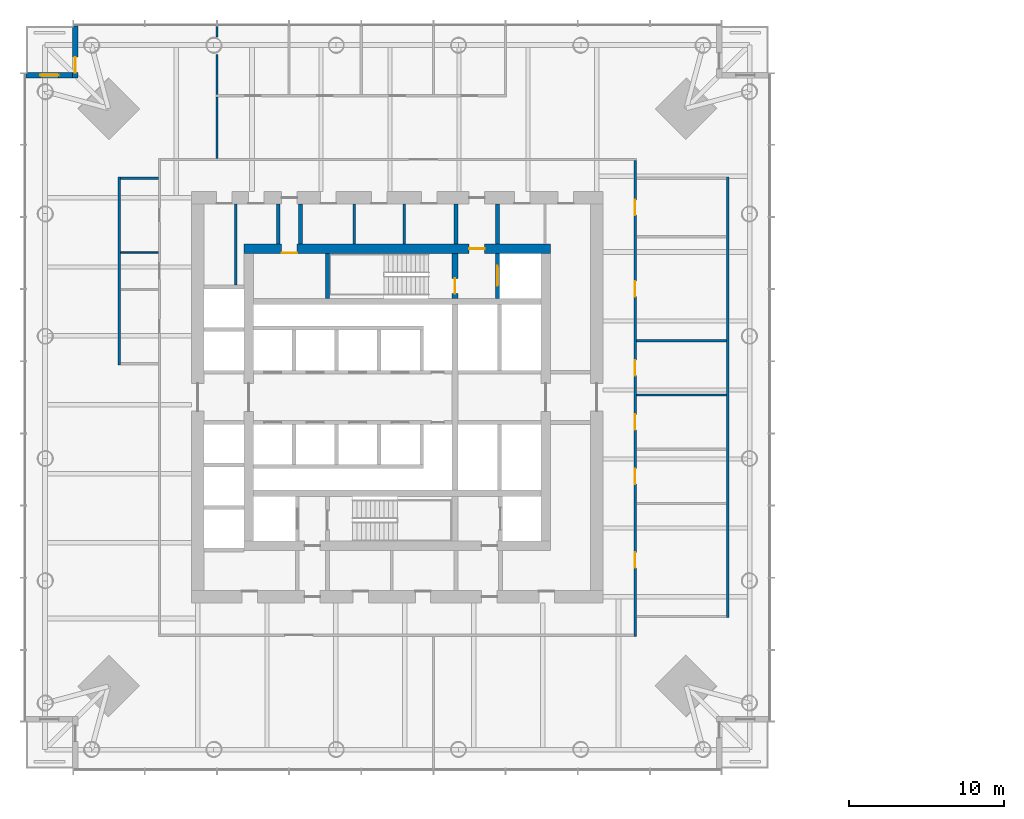
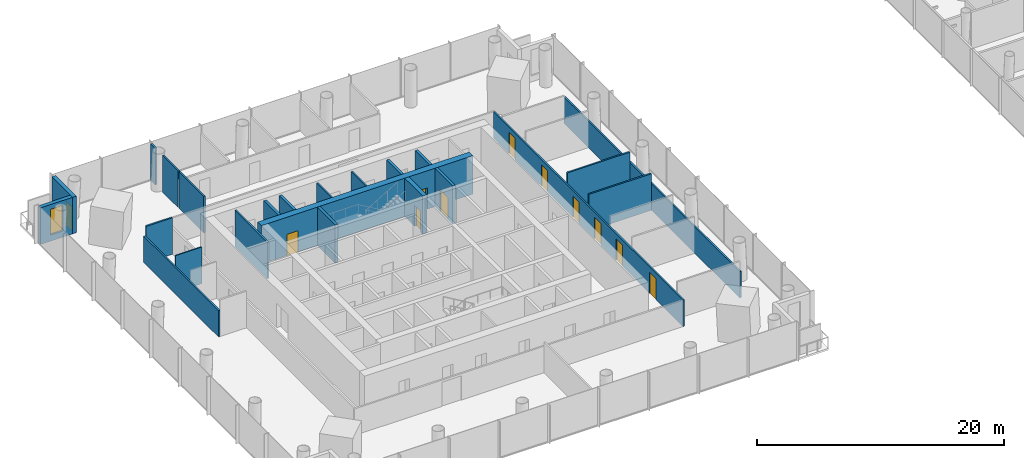
# One storey, part 12 of 21: 23 walls, 11 doors, 1 window, 12 openings.
"""IFC4 building model written with IfcOpenShell, lengths in metres."""

from ifc_helpers import new_model, si_unit, direction, frame, frame_2d, origin, place, context, subcontext, project, spatial, rectangle, extrude, material, layer, layer_set, type_object, element, fill, save


model = new_model("IFC4")

# Units and contexts
model_context = context("Model", 3, precision=1e-05, world=origin(), true_north=direction((0.0, 1.0)))
body_context = subcontext(model_context, "Body", "Model", "MODEL_VIEW")
ifc_project = project(units=[si_unit("LENGTHUNIT", "METRE"), si_unit("AREAUNIT", "SQUARE_METRE"), si_unit("VOLUMEUNIT", "CUBIC_METRE"), si_unit("PLANEANGLEUNIT", "RADIAN"), si_unit("MASSUNIT", "GRAM", prefix="KILO")], contexts=[model_context])

# Site, building, storey
site_placement = place(None, origin())
site = spatial("IfcSite", under=ifc_project, at=site_placement, CompositionType="ELEMENT")
building_placement = place(site_placement, origin())
building = spatial("IfcBuilding", under=site, at=building_placement, Name="Ostroluk Exchange", CompositionType="ELEMENT")
storey_placement = place(building_placement, frame((0.0, 0.0, 59.0)))
storey = spatial("IfcBuildingStorey", under=building, at=storey_placement, Name="L14", CompositionType="ELEMENT", Elevation=59.0)

# Walls
ifc_material_1 = material(Name="Concrete blockwork", Category="masonry")
ifc_layer_1 = layer(ifc_material_1, 0.10009765625)
ifc_layer_set_1 = layer_set([ifc_layer_1], Name="Blockwork WC wall 100")
wall_type_1 = type_object("IfcWallType", Name="Blockwork WC wall 100", PredefinedType="SOLIDWALL", material=ifc_layer_set_1)
wall_1_placement = place(storey_placement, frame((29.550048828125, 55.375, 0.0), z_axis=(0.0, 0.0, 1.0), x_axis=(-1.0, 0.0, 0.0)))
element("IfcWall", 1, at=wall_1_placement, inside=storey, type_object=wall_type_1, Name="Blockwork WC wall", PredefinedType="SOLIDWALL", context=body_context, shape_type="SweptSolid", body=[
    extrude(rectangle(XDim=2.449951171875, YDim=0.10009765625, at=frame_2d((1.22509765625, 0.0))), origin(), (0.0, 0.0, 1.0), 3.6201171875),
])
ifc_material_2 = material(Name="Concrete blockwork", Category="masonry")
ifc_layer_2 = layer(ifc_material_2, 0.14990234375)
ifc_layer_set_2 = layer_set([ifc_layer_2], Name="Blockwork plant room wall 150")
wall_type_2 = type_object("IfcWallType", Name="Blockwork plant room wall 150", PredefinedType="SOLIDWALL", material=ifc_layer_set_2)
wall_2_placement = place(storey_placement, frame((34.556884765625, 53.25, 0.0), z_axis=(0.0, 0.0, 1.0), x_axis=(0.0, 1.0, 0.0)))
element("IfcWall", 2, at=wall_2_placement, inside=storey, type_object=wall_type_2, Name="Core room wall", PredefinedType="SOLIDWALL", context=body_context, shape_type="SweptSolid", body=[
    extrude(rectangle(XDim=5.25, YDim=0.14990234375, at=frame_2d((2.625, 0.0))), origin(), (0.0, 0.0, 1.0), 3.6201171875),
])
for number, where, z_axis, x_axis, name in (
    (3, (42.208740234375, 55.89990234375, 0.0), (0.0, 0.0, 1.0), (0.0, 1.0, 0.0), "Core room wall"),
    (4, (45.4443359375, 55.89990234375, 0.0), (0.0, 0.0, 1.0), (0.0, 1.0, 0.0), "Core room wall"),
):
    element("IfcWall", number, at=place(storey_placement, frame(where, z_axis=z_axis, x_axis=x_axis)), inside=storey, type_object=wall_type_2, Name=name, PredefinedType="SOLIDWALL", context=body_context, shape_type="SweptSolid", body=[
        extrude(rectangle(XDim=2.60009765625, YDim=0.14990234375, at=frame_2d((1.300048828125, 0.0))), origin(), (0.0, 0.0, 1.0), 3.6201171875),
    ])
ifc_material_3 = material(Name="Concrete blockwork", Category="masonry")
ifc_layer_3 = layer(ifc_material_3, 0.25)
ifc_layer_set_3 = layer_set([ifc_layer_3], Name="Blockwork stair enclosure wall 250")
wall_type_3 = type_object("IfcWallType", Name="Blockwork stair enclosure wall 250", PredefinedType="SOLIDWALL", material=ifc_layer_set_3)
for number, where, z_axis, x_axis, name in (
    (5, (48.804931640625, 55.89990234375, 0.0), (0.0, 0.0, 1.0), (0.0, 1.0, 0.0), "Fire lobby enclosure wall"),
    (6, (51.47509765625, 55.89990234375, 0.0), (0.0, 0.0, 1.0), (0.0, 1.0, 0.0), "Fire lobby enclosure wall"),
    (7, (37.300048828125, 55.89990234375, 0.0), (0.0, 0.0, 1.0), (0.0, 1.0, 0.0), "Core corridor wall"),
    (8, (38.75, 55.89990234375, 0.0), (0.0, 0.0, 1.0), (0.0, 1.0, 0.0), "Core corridor wall"),
):
    element("IfcWall", number, at=place(storey_placement, frame(where, z_axis=z_axis, x_axis=x_axis)), inside=storey, type_object=wall_type_3, Name=name, PredefinedType="SOLIDWALL", context=body_context, shape_type="SweptSolid", body=[
        extrude(rectangle(XDim=2.60009765625, YDim=0.25, at=frame_2d((1.300048828125, 0.0))), origin(), (0.0, 0.0, 1.0), 3.6201171875),
    ])

# Wall, opening, door
ifc_material_4 = material(Name="Concrete C50/60", Category="concrete")
ifc_layer_4 = layer(ifc_material_4, 0.39990234375)
ifc_layer_set_4 = layer_set([ifc_layer_4], Name="Core cross wall 400 C50/60")
wall_type_4 = type_object("IfcWallType", Name="Core cross wall 400 C50/60", PredefinedType="SHEAR", material=ifc_layer_set_4)
wall_3_placement = place(storey_placement, frame((48.72998046875, 52.39990234375, 0.0), z_axis=(0.0, 0.0, 1.0), x_axis=(0.0, 1.0, 0.0)))
wall_3 = element("IfcWall", 9, at=wall_3_placement, inside=storey, type_object=wall_type_4, Name="T1 core wall YE3", PredefinedType="SHEAR", context=body_context, shape_type="SweptSolid", body=[
    extrude(rectangle(XDim=2.900146484375, YDim=0.39990234375, at=frame_2d((1.4501953125, 0.0))), origin(), (0.0, 0.0, 1.0), 3.800048828125),
])
opening_1_placement = place(wall_3_placement, frame((0.300048828125, 0.0, 0.0)))
opening_1 = element("IfcOpeningElement", 10, at=opening_1_placement, cuts=wall_3, Name="Opening FD60", PredefinedType="OPENING", context=body_context, shape_type="SweptSolid", body=[
    extrude(rectangle(XDim=1.0, YDim=2.10009765625, at=frame_2d((0.5, 1.050048828125))), frame((0.0, 0.2099609375, 0.0), z_axis=(0.0, -1.0, 0.0), x_axis=(1.0, 0.0, 0.0)), (0.0, 0.0, 1.0), 0.419921875),
])
ifc_material_5 = material(Name="Steel", Category="steel")
door_type_1 = type_object("IfcDoorType", Name="Fire door EI 60 1000 x 2100", OperationType="SINGLE_SWING_LEFT", PredefinedType="DOOR", material=ifc_material_5)
door_1_placement = place(opening_1_placement, origin())
door_1 = element("IfcDoor", 11, at=door_1_placement, inside=storey, type_object=door_type_1, Name="Stair T1-S2 door", OperationType="SINGLE_SWING_LEFT", OverallHeight=2.10009765625, OverallWidth=1.0, PredefinedType="DOOR", context=body_context, shape_type="SweptSolid", body=[
    extrude(rectangle(XDim=1.0, YDim=2.10009765625, at=frame_2d((0.5, 1.050048828125))), frame((0.0, 0.02490234375, 0.0), z_axis=(0.0, -1.0, 0.0), x_axis=(1.0, 0.0, 0.0)), (0.0, 0.0, 1.0), 0.050048828125),
])
fill(opening_1, door_1)

# Wall
ifc_material_6 = material(Name="Concrete C40/50", Category="concrete")
ifc_layer_5 = layer(ifc_material_6, 0.25)
ifc_layer_set_5 = layer_set([ifc_layer_5], Name="Core shaft wall 250")
wall_type_5 = type_object("IfcWallType", Name="Core shaft wall 250", PredefinedType="SHEAR", material=ifc_layer_set_5)
wall_4_placement = place(storey_placement, frame((40.47509765625, 52.39990234375, 0.0), z_axis=(0.0, 0.0, 1.0), x_axis=(0.0, 1.0, 0.0)))
element("IfcWall", 12, at=wall_4_placement, inside=storey, type_object=wall_type_5, Name="Stair shaft wall", PredefinedType="SHEAR", context=body_context, shape_type="SweptSolid", body=[
    extrude(rectangle(XDim=2.900146484375, YDim=0.25, at=frame_2d((1.4501953125, 0.0))), origin(), (0.0, 0.0, 1.0), 3.800048828125),
])

# Wall, opening, door
wall_5_placement = place(storey_placement, frame((51.47509765625, 52.39990234375, 0.0), z_axis=(0.0, 0.0, 1.0), x_axis=(0.0, 1.0, 0.0)))
wall_5 = element("IfcWall", 13, at=wall_5_placement, inside=storey, type_object=wall_type_5, Name="Firefighting lift shaft wall", PredefinedType="SHEAR", context=body_context, shape_type="SweptSolid", body=[
    extrude(rectangle(XDim=2.900146484375, YDim=0.25, at=frame_2d((1.4501953125, 0.0))), origin(), (0.0, 0.0, 1.0), 3.800048828125),
])
opening_2_placement = place(wall_5_placement, frame((0.800048828125, 0.0, 0.0)))
opening_2 = element("IfcOpeningElement", 14, at=opening_2_placement, cuts=wall_5, Name="Opening LD2", PredefinedType="OPENING", context=body_context, shape_type="SweptSolid", body=[
    extrude(rectangle(XDim=1.300048828125, YDim=2.199951171875, at=frame_2d((0.64990234375, 1.10009765625))), frame((0.0, 0.135009765625, 0.0), z_axis=(0.0, -1.0, 0.0), x_axis=(1.0, 0.0, 0.0)), (0.0, 0.0, 1.0), 0.27001953125),
])
ifc_material_7 = material(Name="Stainless steel", Category="steel")
door_type_2 = type_object("IfcDoorType", Name="Lift landing door E 60 1300 x 2200", OperationType="DOUBLE_DOOR_SLIDING", PredefinedType="DOOR", material=ifc_material_7)
door_2_placement = place(opening_2_placement, origin())
door_2 = element("IfcDoor", 15, at=door_2_placement, inside=storey, type_object=door_type_2, Name="Lift FL2 landing door", OperationType="DOUBLE_DOOR_SLIDING", OverallHeight=2.199951171875, OverallWidth=1.300048828125, PredefinedType="DOOR", context=body_context, shape_type="SweptSolid", body=[
    extrude(rectangle(XDim=1.300048828125, YDim=2.199951171875, at=frame_2d((0.64990234375, 1.10009765625))), frame((0.0, 0.02490234375, 0.0), z_axis=(0.0, -1.0, 0.0), x_axis=(1.0, 0.0, 0.0)), (0.0, 0.0, 1.0), 0.050048828125),
])
fill(opening_2, door_2)

# Wall, openings, doors
ifc_material_8 = material(Name="Concrete C50/60", Category="concrete")
ifc_layer_6 = layer(ifc_material_8, 0.60009765625)
ifc_layer_set_6 = layer_set([ifc_layer_6], Name="Core wall 600 C50/60")
wall_type_6 = type_object("IfcWallType", Name="Core wall 600 C50/60", PredefinedType="SHEAR", material=ifc_layer_set_6)
wall_6_placement = place(storey_placement, frame((35.10009765625, 55.60009765625, 0.0), z_axis=(0.0, 0.0, 1.0), x_axis=(1.0, 0.0, 0.0)))
wall_6 = element("IfcWall", 16, at=wall_6_placement, inside=storey, type_object=wall_type_6, Name="T1 core wall N", PredefinedType="SHEAR", context=body_context, shape_type="SweptSolid", body=[
    extrude(rectangle(XDim=19.7998046875, YDim=0.60009765625, at=frame_2d((9.89990234375, 0.0))), origin(), (0.0, 0.0, 1.0), 3.800048828125),
])
opening_3_placement = place(wall_6_placement, frame((14.5400390625, 0.0, 0.0)))
opening_3 = element("IfcOpeningElement", 17, at=opening_3_placement, cuts=wall_6, Name="Opening FD60", PredefinedType="OPENING", context=body_context, shape_type="SweptSolid", body=[
    extrude(rectangle(XDim=1.0, YDim=2.10009765625, at=frame_2d((0.5, 1.050048828125))), frame((0.0, 0.31005859375, 0.0), z_axis=(0.0, -1.0, 0.0), x_axis=(1.0, 0.0, 0.0)), (0.0, 0.0, 1.0), 0.6201171875),
])
opening_4_placement = place(wall_6_placement, frame((2.425048828125, 0.0, 0.0)))
opening_4 = element("IfcOpeningElement", 18, at=opening_4_placement, cuts=wall_6, Name="Opening FD60", PredefinedType="OPENING", context=body_context, shape_type="SweptSolid", body=[
    extrude(rectangle(XDim=1.0, YDim=2.10009765625, at=frame_2d((0.5, 1.050048828125))), frame((0.0, 0.31005859375, 0.0), z_axis=(0.0, -1.0, 0.0), x_axis=(1.0, 0.0, 0.0)), (0.0, 0.0, 1.0), 0.6201171875),
])
door_3_placement = place(opening_3_placement, origin())
door_3 = element("IfcDoor", 19, at=door_3_placement, inside=storey, type_object=door_type_1, Name="Firefighting lobby door", OperationType="SINGLE_SWING_RIGHT", OverallHeight=2.10009765625, OverallWidth=1.0, PredefinedType="DOOR", context=body_context, shape_type="SweptSolid", body=[
    extrude(rectangle(XDim=1.0, YDim=2.10009765625, at=frame_2d((0.5, 1.050048828125))), frame((0.0, 0.02490234375, 0.0), z_axis=(0.0, -1.0, 0.0), x_axis=(1.0, 0.0, 0.0)), (0.0, 0.0, 1.0), 0.050048828125),
])
fill(opening_3, door_3)
door_4_placement = place(opening_4_placement, origin())
door_4 = element("IfcDoor", 20, at=door_4_placement, inside=storey, type_object=door_type_1, Name="Tea point door", OperationType="SINGLE_SWING_LEFT", OverallHeight=2.10009765625, OverallWidth=1.0, PredefinedType="DOOR", context=body_context, shape_type="SweptSolid", body=[
    extrude(rectangle(XDim=1.0, YDim=2.10009765625, at=frame_2d((0.5, 1.050048828125))), frame((0.0, -0.23974609375, 0.0), z_axis=(0.0, -1.0, 0.0), x_axis=(1.0, 0.0, 0.0)), (0.0, 0.0, 1.0), 0.050048828125),
])
fill(opening_4, door_4)

# Wall, opening, door
ifc_material_9 = material(Name="Limestone", Category="masonry")
ifc_layer_7 = layer(ifc_material_9, 0.35009765625)
ifc_layer_set_7 = layer_set([ifc_layer_7], Name="Limestone facade wall 350")
wall_type_7 = type_object("IfcWallType", Name="Limestone facade wall 350", PredefinedType="SOLIDWALL", material=ifc_layer_set_7)
wall_7_placement = place(storey_placement, frame((24.175048828125, 70.0, 0.0), z_axis=(0.0, 0.0, 1.0), x_axis=(0.0, -1.0, 0.0)))
wall_7 = element("IfcWall", 21, at=wall_7_placement, inside=storey, type_object=wall_type_7, Name="Office tower NW corner wall L14 a", PredefinedType="SOLIDWALL", context=body_context, shape_type="SweptSolid", body=[
    extrude(rectangle(XDim=3.35009765625, YDim=0.35009765625, at=frame_2d((1.675048828125, 0.0))), origin(), (0.0, 0.0, 1.0), 3.6201171875),
])
opening_5_placement = place(wall_7_placement, frame((2.0, 0.0, 0.0)))
opening_5 = element("IfcOpeningElement", 22, at=opening_5_placement, cuts=wall_7, Name="Opening D-B1", PredefinedType="OPENING", context=body_context, shape_type="SweptSolid", body=[
    extrude(rectangle(XDim=1.0, YDim=2.39990234375, at=frame_2d((0.5, 1.199951171875))), frame((0.0, 0.18505859375, 0.0), z_axis=(0.0, -1.0, 0.0), x_axis=(1.0, 0.0, 0.0)), (0.0, 0.0, 1.0), 0.3701171875),
])
ifc_material_10 = material(Name="Bronze framed glazed door", Category="aluminium")
door_type_3 = type_object("IfcDoorType", Name="Balcony door 1000 x 2400", OperationType="SINGLE_SWING_LEFT", PredefinedType="DOOR", material=ifc_material_10)
door_5_placement = place(opening_5_placement, origin())
door_5 = element("IfcDoor", 23, at=door_5_placement, inside=storey, type_object=door_type_3, Name="Office tower NW balcony door L14", OperationType="SINGLE_SWING_RIGHT", OverallHeight=2.39990234375, OverallWidth=1.0, PredefinedType="DOOR", context=body_context, shape_type="SweptSolid", body=[
    extrude(rectangle(XDim=1.0, YDim=2.39990234375, at=frame_2d((0.5, 1.199951171875))), frame((0.0, 0.02490234375, 0.0), z_axis=(0.0, -1.0, 0.0), x_axis=(1.0, 0.0, 0.0)), (0.0, 0.0, 1.0), 0.050048828125),
])
fill(opening_5, door_5)

# Wall, opening, window
wall_8_placement = place(storey_placement, frame((24.0, 66.824951171875, 0.0), z_axis=(0.0, 0.0, 1.0), x_axis=(-1.0, 0.0, 0.0)))
wall_8 = element("IfcWall", 24, at=wall_8_placement, inside=storey, type_object=wall_type_7, Name="Office tower NW corner wall L14 b", PredefinedType="SOLIDWALL", context=body_context, shape_type="SweptSolid", body=[
    extrude(rectangle(XDim=3.0, YDim=0.35009765625, at=frame_2d((1.5, 0.0))), origin(), (0.0, 0.0, 1.0), 3.6201171875),
])
opening_6_placement = place(wall_8_placement, frame((0.89990234375, 0.0, 0.60009765625)))
opening_6 = element("IfcOpeningElement", 25, at=opening_6_placement, cuts=wall_8, Name="Opening WN-L1", PredefinedType="OPENING", context=body_context, shape_type="SweptSolid", body=[
    extrude(rectangle(XDim=1.199951171875, YDim=2.550048828125, at=frame_2d((0.60009765625, 1.27490234375))), frame((0.0, 0.18505859375, 0.0), z_axis=(0.0, -1.0, 0.0), x_axis=(1.0, 0.0, 0.0)), (0.0, 0.0, 1.0), 0.3701171875),
])
ifc_material_11 = material(Name="Laminated clear glass", Category="glass")
window_type = type_object("IfcWindowType", Name="Lancet window 1200 x 2550", PartitioningType="SINGLE_PANEL", PredefinedType="WINDOW", material=ifc_material_11)
window_placement = place(opening_6_placement, origin())
window = element("IfcWindow", 26, at=window_placement, inside=storey, type_object=window_type, Name="Office tower NW lancet window L14", OverallHeight=2.550048828125, OverallWidth=1.199951171875, PartitioningType="SINGLE_PANEL", PredefinedType="WINDOW", context=body_context, shape_type="SweptSolid", body=[
    extrude(rectangle(XDim=1.199951171875, YDim=2.550048828125, at=frame_2d((0.60009765625, 1.27490234375))), frame((0.0, 0.030029296875, 0.0), z_axis=(0.0, -1.0, 0.0), x_axis=(1.0, 0.0, 0.0)), (0.0, 0.0, 1.0), 0.06005859375),
])
fill(opening_6, window)

# Walls
ifc_material_12 = material(Name="Gypsum plasterboard partition", Category="gypsum")
ifc_layer_8 = layer(ifc_material_12, 0.14990234375)
ifc_layer_set_8 = layer_set([ifc_layer_8], Name="Plasterboard partition 150")
wall_type_8 = type_object("IfcWallType", Name="Plasterboard partition 150", PredefinedType="PARTITIONING", material=ifc_layer_set_8)
for number, where, z_axis, x_axis, name in (
    (27, (60.449951171875, 46.146240234375, 0.0), (0.0, 0.0, 1.0), (1.0, 0.0, 0.0), "Partition"),
    (28, (60.449951171875, 49.6533203125, 0.0), (0.0, 0.0, 1.0), (1.0, 0.0, 0.0), "Partition"),
):
    element("IfcWall", number, at=place(storey_placement, frame(where, z_axis=z_axis, x_axis=x_axis)), inside=storey, type_object=wall_type_8, Name=name, PredefinedType="PARTITIONING", context=body_context, shape_type="SweptSolid", body=[
        extrude(rectangle(XDim=5.85009765625, YDim=0.14990234375, at=frame_2d((2.925048828125, 0.0))), origin(), (0.0, 0.0, 1.0), 3.6201171875),
    ])
wall_9_placement = place(storey_placement, frame((66.375, 31.75, 0.0), z_axis=(0.0, 0.0, 1.0), x_axis=(0.0, 1.0, 0.0)))
element("IfcWall", 29, at=wall_9_placement, inside=storey, type_object=wall_type_8, Name="Partition", PredefinedType="PARTITIONING", context=body_context, shape_type="SweptSolid", body=[
    extrude(rectangle(XDim=28.5, YDim=0.14990234375, at=frame_2d((14.25, 0.0))), origin(), (0.0, 0.0, 1.0), 2.612060546875),
])
wall_10_placement = place(storey_placement, frame((33.333251953125, 65.574951171875, 0.0), z_axis=(0.0, 0.0, 1.0), x_axis=(0.0, 1.0, 0.0)))
element("IfcWall", 30, at=wall_10_placement, inside=storey, type_object=wall_type_8, Name="Partition", PredefinedType="PARTITIONING", context=body_context, shape_type="SweptSolid", body=[
    extrude(rectangle(XDim=2.581298828125, YDim=0.14990234375, at=frame_2d((1.29052734375, 0.0))), origin(), (0.0, 0.0, 1.0), 3.6201171875),
])
wall_11_placement = place(storey_placement, frame((33.333251953125, 69.293701171875, 0.0), z_axis=(0.0, 0.0, 1.0), x_axis=(0.0, 1.0, 0.0)))
element("IfcWall", 31, at=wall_11_placement, inside=storey, type_object=wall_type_8, Name="Partition", PredefinedType="PARTITIONING", context=body_context, shape_type="SweptSolid", body=[
    extrude(rectangle(XDim=0.746337890625, YDim=0.14990234375, at=frame_2d((0.373046875, 0.0))), origin(), (0.0, 0.0, 1.0), 3.6201171875),
])
wall_12_placement = place(storey_placement, frame((33.333251953125, 61.449951171875, 0.0), z_axis=(0.0, 0.0, 1.0), x_axis=(0.0, 1.0, 0.0)))
element("IfcWall", 32, at=wall_12_placement, inside=storey, type_object=wall_type_8, Name="Tenancy partition", PredefinedType="PARTITIONING", context=body_context, shape_type="SweptSolid", body=[
    extrude(rectangle(XDim=3.97509765625, YDim=0.14990234375, at=frame_2d((1.987548828125, 0.0))), origin(), (0.0, 0.0, 1.0), 3.6201171875),
])

# Wall, openings, doors
wall_13_placement = place(storey_placement, frame((60.375, 30.550048828125, 0.0), z_axis=(0.0, 0.0, 1.0), x_axis=(0.0, 1.0, 0.0)))
wall_13 = element("IfcWall", 33, at=wall_13_placement, inside=storey, type_object=wall_type_8, Name="Corridor wall", PredefinedType="PARTITIONING", context=body_context, shape_type="SweptSolid", body=[
    extrude(rectangle(XDim=30.75, YDim=0.14990234375, at=frame_2d((15.375, 0.0))), origin(), (0.0, 0.0, 1.0), 2.612060546875),
])
opening_7_placement = place(wall_13_placement, frame((4.428466796875, 0.0, 0.0)))
opening_7 = element("IfcOpeningElement", 34, at=opening_7_placement, cuts=wall_13, Name="Opening D-03", PredefinedType="OPENING", context=body_context, shape_type="SweptSolid", body=[
    extrude(rectangle(XDim=1.0, YDim=2.10009765625, at=frame_2d((0.5, 1.050048828125))), frame((0.0, 0.0849609375, 0.0), z_axis=(0.0, -1.0, 0.0), x_axis=(1.0, 0.0, 0.0)), (0.0, 0.0, 1.0), 0.169921875),
])
opening_8_placement = place(wall_13_placement, frame((9.835205078125, 0.0, 0.0)))
opening_8 = element("IfcOpeningElement", 35, at=opening_8_placement, cuts=wall_13, Name="Opening D-03", PredefinedType="OPENING", context=body_context, shape_type="SweptSolid", body=[
    extrude(rectangle(XDim=1.0, YDim=2.10009765625, at=frame_2d((0.5, 1.050048828125))), frame((0.0, 0.0849609375, 0.0), z_axis=(0.0, -1.0, 0.0), x_axis=(1.0, 0.0, 0.0)), (0.0, 0.0, 1.0), 0.169921875),
])
opening_9_placement = place(wall_13_placement, frame((13.342529296875, 0.0, 0.0)))
opening_9 = element("IfcOpeningElement", 36, at=opening_9_placement, cuts=wall_13, Name="Opening D-03", PredefinedType="OPENING", context=body_context, shape_type="SweptSolid", body=[
    extrude(rectangle(XDim=1.0, YDim=2.10009765625, at=frame_2d((0.5, 1.050048828125))), frame((0.0, 0.0849609375, 0.0), z_axis=(0.0, -1.0, 0.0), x_axis=(1.0, 0.0, 0.0)), (0.0, 0.0, 1.0), 0.169921875),
])
opening_10_placement = place(wall_13_placement, frame((16.849853515625, 0.0, 0.0)))
opening_10 = element("IfcOpeningElement", 37, at=opening_10_placement, cuts=wall_13, Name="Opening D-03", PredefinedType="OPENING", context=body_context, shape_type="SweptSolid", body=[
    extrude(rectangle(XDim=1.0, YDim=2.10009765625, at=frame_2d((0.5, 1.050048828125))), frame((0.0, 0.0849609375, 0.0), z_axis=(0.0, -1.0, 0.0), x_axis=(1.0, 0.0, 0.0)), (0.0, 0.0, 1.0), 0.169921875),
])
opening_11_placement = place(wall_13_placement, frame((21.96435546875, 0.0, 0.0)))
opening_11 = element("IfcOpeningElement", 38, at=opening_11_placement, cuts=wall_13, Name="Opening D-03", PredefinedType="OPENING", context=body_context, shape_type="SweptSolid", body=[
    extrude(rectangle(XDim=1.0, YDim=2.10009765625, at=frame_2d((0.5, 1.050048828125))), frame((0.0, 0.0849609375, 0.0), z_axis=(0.0, -1.0, 0.0), x_axis=(1.0, 0.0, 0.0)), (0.0, 0.0, 1.0), 0.169921875),
])
opening_12_placement = place(wall_13_placement, frame((27.225341796875, 0.0, 0.0)))
opening_12 = element("IfcOpeningElement", 39, at=opening_12_placement, cuts=wall_13, Name="Opening D-03", PredefinedType="OPENING", context=body_context, shape_type="SweptSolid", body=[
    extrude(rectangle(XDim=1.0, YDim=2.10009765625, at=frame_2d((0.5, 1.050048828125))), frame((0.0, 0.0849609375, 0.0), z_axis=(0.0, -1.0, 0.0), x_axis=(1.0, 0.0, 0.0)), (0.0, 0.0, 1.0), 0.169921875),
])
ifc_material_13 = material(Name="Timber", Category="wood")
door_type_4 = type_object("IfcDoorType", Name="Internal door 1000 x 2100", OperationType="SINGLE_SWING_LEFT", PredefinedType="DOOR", material=ifc_material_13)
door_6_placement = place(opening_7_placement, origin())
door_6 = element("IfcDoor", 40, at=door_6_placement, inside=storey, type_object=door_type_4, Name="Meeting room door", OperationType="SINGLE_SWING_LEFT", OverallHeight=2.10009765625, OverallWidth=1.0, PredefinedType="DOOR", context=body_context, shape_type="SweptSolid", body=[
    extrude(rectangle(XDim=1.0, YDim=2.10009765625, at=frame_2d((0.5, 1.050048828125))), frame((0.0, 0.02490234375, 0.0), z_axis=(0.0, -1.0, 0.0), x_axis=(1.0, 0.0, 0.0)), (0.0, 0.0, 1.0), 0.050048828125),
])
fill(opening_7, door_6)
door_7_placement = place(opening_8_placement, origin())
door_7 = element("IfcDoor", 41, at=door_7_placement, inside=storey, type_object=door_type_4, Name="Focus room door", OperationType="SINGLE_SWING_LEFT", OverallHeight=2.10009765625, OverallWidth=1.0, PredefinedType="DOOR", context=body_context, shape_type="SweptSolid", body=[
    extrude(rectangle(XDim=1.0, YDim=2.10009765625, at=frame_2d((0.5, 1.050048828125))), frame((0.0, 0.02490234375, 0.0), z_axis=(0.0, -1.0, 0.0), x_axis=(1.0, 0.0, 0.0)), (0.0, 0.0, 1.0), 0.050048828125),
])
fill(opening_8, door_7)
door_8_placement = place(opening_9_placement, origin())
door_8 = element("IfcDoor", 42, at=door_8_placement, inside=storey, type_object=door_type_4, Name="Focus room door", OperationType="SINGLE_SWING_LEFT", OverallHeight=2.10009765625, OverallWidth=1.0, PredefinedType="DOOR", context=body_context, shape_type="SweptSolid", body=[
    extrude(rectangle(XDim=1.0, YDim=2.10009765625, at=frame_2d((0.5, 1.050048828125))), frame((0.0, 0.02490234375, 0.0), z_axis=(0.0, -1.0, 0.0), x_axis=(1.0, 0.0, 0.0)), (0.0, 0.0, 1.0), 0.050048828125),
])
fill(opening_9, door_8)
door_9_placement = place(opening_10_placement, origin())
door_9 = element("IfcDoor", 43, at=door_9_placement, inside=storey, type_object=door_type_4, Name="Focus room door", OperationType="SINGLE_SWING_RIGHT", OverallHeight=2.10009765625, OverallWidth=1.0, PredefinedType="DOOR", context=body_context, shape_type="SweptSolid", body=[
    extrude(rectangle(XDim=1.0, YDim=2.10009765625, at=frame_2d((0.5, 1.050048828125))), frame((0.0, 0.02490234375, 0.0), z_axis=(0.0, -1.0, 0.0), x_axis=(1.0, 0.0, 0.0)), (0.0, 0.0, 1.0), 0.050048828125),
])
fill(opening_10, door_9)
door_10_placement = place(opening_11_placement, origin())
door_10 = element("IfcDoor", 44, at=door_10_placement, inside=storey, type_object=door_type_4, Name="Pantry door", OperationType="SINGLE_SWING_RIGHT", OverallHeight=2.10009765625, OverallWidth=1.0, PredefinedType="DOOR", context=body_context, shape_type="SweptSolid", body=[
    extrude(rectangle(XDim=1.0, YDim=2.10009765625, at=frame_2d((0.5, 1.050048828125))), frame((0.0, 0.02490234375, 0.0), z_axis=(0.0, -1.0, 0.0), x_axis=(1.0, 0.0, 0.0)), (0.0, 0.0, 1.0), 0.050048828125),
])
fill(opening_11, door_10)
door_11_placement = place(opening_12_placement, origin())
door_11 = element("IfcDoor", 45, at=door_11_placement, inside=storey, type_object=door_type_4, Name="Print and store room door", OperationType="SINGLE_SWING_RIGHT", OverallHeight=2.10009765625, OverallWidth=1.0, PredefinedType="DOOR", context=body_context, shape_type="SweptSolid", body=[
    extrude(rectangle(XDim=1.0, YDim=2.10009765625, at=frame_2d((0.5, 1.050048828125))), frame((0.0, 0.02490234375, 0.0), z_axis=(0.0, -1.0, 0.0), x_axis=(1.0, 0.0, 0.0)), (0.0, 0.0, 1.0), 0.050048828125),
])
fill(opening_12, door_11)

# Walls
ifc_material_14 = material(Name="Gypsum plasterboard partition, moisture resistant", Category="gypsum")
ifc_layer_9 = layer(ifc_material_14, 0.14990234375)
ifc_layer_set_9 = layer_set([ifc_layer_9], Name="Plasterboard toilet partition 150")
wall_type_9 = type_object("IfcWallType", Name="Plasterboard toilet partition 150", PredefinedType="PARTITIONING", material=ifc_layer_set_9)
wall_14_placement = place(storey_placement, frame((27.02490234375, 60.25, 0.0), z_axis=(0.0, 0.0, 1.0), x_axis=(0.0, -1.0, 0.0)))
element("IfcWall", 46, at=wall_14_placement, inside=storey, type_object=wall_type_9, Name="Toilet partition", PredefinedType="PARTITIONING", context=body_context, shape_type="SweptSolid", body=[
    extrude(rectangle(XDim=12.14990234375, YDim=0.14990234375, at=frame_2d((6.074951171875, 0.0))), origin(), (0.0, 0.0, 1.0), 2.612060546875),
])
wall_15_placement = place(storey_placement, frame((29.550048828125, 60.175048828125, 0.0), z_axis=(0.0, 0.0, 1.0), x_axis=(-1.0, 0.0, 0.0)))
element("IfcWall", 47, at=wall_15_placement, inside=storey, type_object=wall_type_9, Name="Toilet partition", PredefinedType="PARTITIONING", context=body_context, shape_type="SweptSolid", body=[
    extrude(rectangle(XDim=2.449951171875, YDim=0.14990234375, at=frame_2d((1.22509765625, 0.0))), origin(), (0.0, 0.0, 1.0), 3.6201171875),
])

save(model, "model.ifc")
